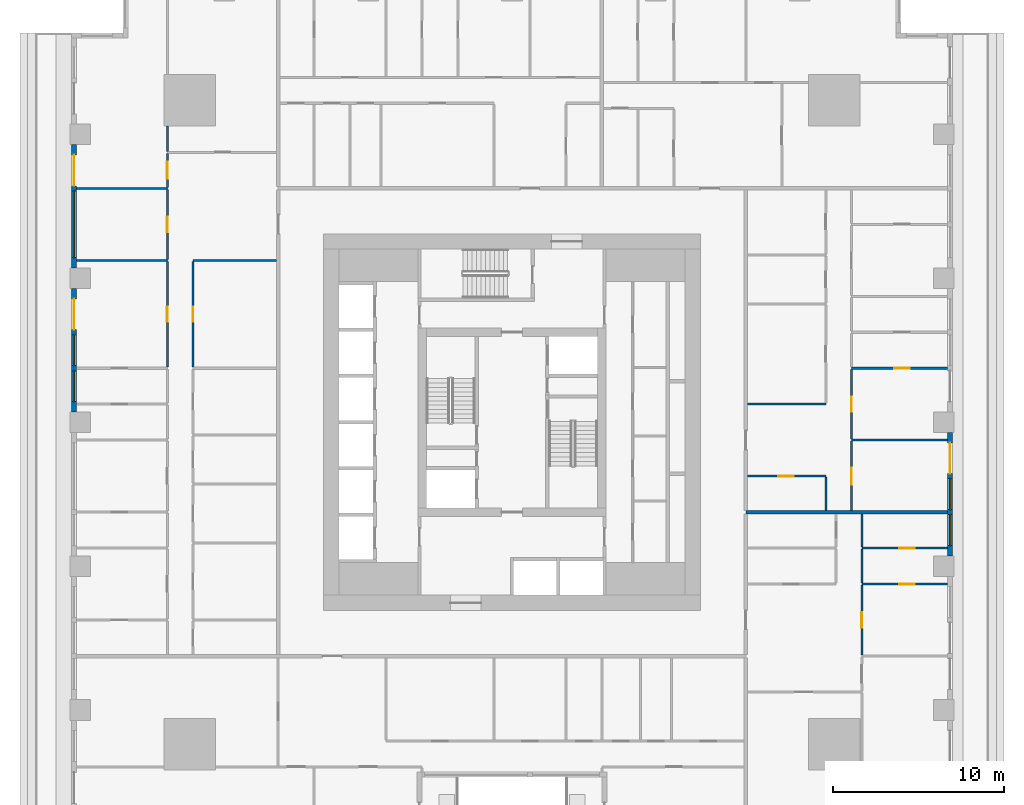
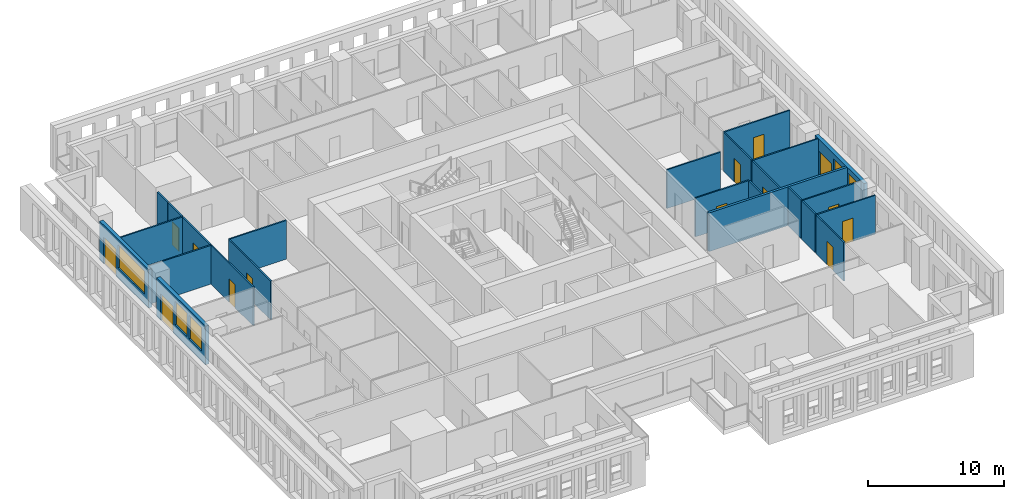
# One storey, part 6 of 15: 24 walls, 14 doors, 5 windows, 19 openings.
"""IFC4 building model written with IfcOpenShell, lengths in metres."""

from ifc_helpers import new_model, si_unit, direction, frame, frame_2d, origin, place, context, subcontext, project, spatial, rectangle, extrude, material, layer, layer_set, type_object, element, fill, save


model = new_model("IFC4")

# Units and contexts
model_context = context("Model", 3, precision=1e-05, world=origin(), true_north=direction((0.0, 1.0)))
body_context = subcontext(model_context, "Body", "Model", "MODEL_VIEW")
ifc_project = project(units=[si_unit("LENGTHUNIT", "METRE"), si_unit("AREAUNIT", "SQUARE_METRE"), si_unit("VOLUMEUNIT", "CUBIC_METRE"), si_unit("PLANEANGLEUNIT", "RADIAN"), si_unit("MASSUNIT", "GRAM", prefix="KILO")], contexts=[model_context])

# Site, building, storey
site_placement = place(None, origin())
site = spatial("IfcSite", under=ifc_project, at=site_placement, CompositionType="ELEMENT")
building_placement = place(site_placement, origin())
building = spatial("IfcBuilding", under=site, at=building_placement, Name="Khepri Terraces", CompositionType="ELEMENT")
storey_placement = place(building_placement, frame((0.0, 0.0, 34.800048828125)))
storey = spatial("IfcBuildingStorey", under=building, at=storey_placement, Name="L07", CompositionType="ELEMENT", Elevation=34.800048828125)

# Wall
ifc_material_1 = material(Name="Fire-rated gypsum plasterboard partition, mineral wool")
ifc_layer_1 = layer(ifc_material_1, 0.199951171875, Name="Fire-rated gypsum plasterboard partition, mineral wool")
ifc_layer_set_1 = layer_set([ifc_layer_1], Name="Fire-rated gypsum plasterboard partition, mineral wool")
wall_type_1 = type_object("IfcWallType", Name="WL-CORR-200", PredefinedType="PARTITIONING", material=ifc_layer_set_1)
wall_1_placement = place(storey_placement, frame((13.64990234375, -5.25, 0.0), z_axis=(0.0, 0.0, 1.0), x_axis=(1.0, 0.0, 0.0)))
element("IfcWall", 1, at=wall_1_placement, inside=storey, type_object=wall_type_1, Name="Partition P-043 L07", PredefinedType="PARTITIONING", context=body_context, shape_type="SweptSolid", body=[
    extrude(rectangle(XDim=11.77001953125, YDim=0.199951171875, at=frame_2d((5.885009765625, 0.0))), origin(), (0.0, 0.0, 1.0), 3.47998046875),
])

# Wall, openings, door, windows
ifc_material_2 = material(Name="Precast concrete C50/60 warm stone", Category="masonry")
ifc_layer_2 = layer(ifc_material_2, 0.300048828125, Name="Precast concrete C50/60 warm stone", Category="masonry")
ifc_layer_set_2 = layer_set([ifc_layer_2], Name="Precast concrete C50/60 warm stone")
wall_type_2 = type_object("IfcWallType", Name="WL-EXT-PRECAST-300", PredefinedType="STANDARD", material=ifc_layer_set_2)
wall_2_placement = place(storey_placement, frame((25.570068359375, -7.800048828125, 0.0), z_axis=(0.0, 0.0, 1.0), x_axis=(0.0, 1.0, 0.0)))
wall_2 = element("IfcWall", 2, at=wall_2_placement, inside=storey, type_object=wall_type_2, Name="External wall L07 E", PredefinedType="STANDARD", context=body_context, shape_type="SweptSolid", body=[
    extrude(rectangle(XDim=7.199951171875, YDim=0.300048828125, at=frame_2d((3.60009765625, 0.0))), origin(), (0.0, 0.0, 1.0), 3.47998046875),
])
opening_1_placement = place(wall_2_placement, frame((0.60009765625, 0.0, 0.89990234375)))
opening_1 = element("IfcOpeningElement", 3, at=opening_1_placement, cuts=wall_2, Name="Opening W1", PredefinedType="OPENING", context=body_context, shape_type="SweptSolid", body=[
    extrude(rectangle(XDim=1.800048828125, YDim=2.10009765625, at=frame_2d((0.89990234375, 1.050048828125))), frame((0.0, 0.16015625, 0.0), z_axis=(0.0, -1.0, 0.0), x_axis=(1.0, 0.0, 0.0)), (0.0, 0.0, 1.0), 0.320068359375),
])
opening_2_placement = place(wall_2_placement, frame((2.699951171875, 0.0, 0.89990234375)))
opening_2 = element("IfcOpeningElement", 4, at=opening_2_placement, cuts=wall_2, Name="Opening W1", PredefinedType="OPENING", context=body_context, shape_type="SweptSolid", body=[
    extrude(rectangle(XDim=1.800048828125, YDim=2.10009765625, at=frame_2d((0.89990234375, 1.050048828125))), frame((0.0, 0.16015625, 0.0), z_axis=(0.0, -1.0, 0.0), x_axis=(1.0, 0.0, 0.0)), (0.0, 0.0, 1.0), 0.320068359375),
])
opening_3_placement = place(wall_2_placement, frame((4.800048828125, 0.0, 0.0)))
opening_3 = element("IfcOpeningElement", 5, at=opening_3_placement, cuts=wall_2, Name="Opening ED-L07-04", PredefinedType="OPENING", context=body_context, shape_type="SweptSolid", body=[
    extrude(rectangle(XDim=1.800048828125, YDim=2.39990234375, at=frame_2d((0.89990234375, 1.199951171875))), frame((0.0, 0.16015625, 0.0), z_axis=(0.0, -1.0, 0.0), x_axis=(1.0, 0.0, 0.0)), (0.0, 0.0, 1.0), 0.320068359375),
])
ifc_material_3 = material(Name="Anodised aluminium bronze glazed door", Category="aluminium")
door_type_1 = type_object("IfcDoorType", Name="DR-BAL-SLIDE-1800x2400", OperationType="NOTDEFINED", PredefinedType="DOOR", material=ifc_material_3)
door_1_placement = place(opening_3_placement, origin())
door_1 = element("IfcDoor", 6, at=door_1_placement, inside=storey, type_object=door_type_1, Name="Balcony door L07 E", OperationType="SLIDING_TO_RIGHT", OverallHeight=2.39990234375, OverallWidth=1.800048828125, PredefinedType="DOOR", context=body_context, shape_type="SweptSolid", body=[
    extrude(rectangle(XDim=1.800048828125, YDim=2.39990234375, at=frame_2d((0.89990234375, 1.199951171875))), frame((0.0, 0.02490234375, 0.0), z_axis=(0.0, -1.0, 0.0), x_axis=(1.0, 0.0, 0.0)), (0.0, 0.0, 1.0), 0.050048828125),
])
fill(opening_3, door_1)
ifc_material_4 = material(Name="Clear glass", Category="glass")
window_type_1 = type_object("IfcWindowType", Name="WIN-RES-1800x2100", PartitioningType="SINGLE_PANEL", PredefinedType="WINDOW", material=ifc_material_4)
window_1_placement = place(opening_1_placement, origin())
window_1 = element("IfcWindow", 7, at=window_1_placement, inside=storey, type_object=window_type_1, Name="Window L07 E", OverallHeight=2.10009765625, OverallWidth=1.800048828125, PartitioningType="SINGLE_PANEL", PredefinedType="WINDOW", context=body_context, shape_type="SweptSolid", body=[
    extrude(rectangle(XDim=1.800048828125, YDim=2.10009765625, at=frame_2d((0.89990234375, 1.050048828125))), frame((0.0, 0.030029296875, 0.0), z_axis=(0.0, -1.0, 0.0), x_axis=(1.0, 0.0, 0.0)), (0.0, 0.0, 1.0), 0.06005859375),
])
fill(opening_1, window_1)
window_2_placement = place(opening_2_placement, origin())
window_2 = element("IfcWindow", 8, at=window_2_placement, inside=storey, type_object=window_type_1, Name="Window L07 E", OverallHeight=2.10009765625, OverallWidth=1.800048828125, PartitioningType="SINGLE_PANEL", PredefinedType="WINDOW", context=body_context, shape_type="SweptSolid", body=[
    extrude(rectangle(XDim=1.800048828125, YDim=2.10009765625, at=frame_2d((0.89990234375, 1.050048828125))), frame((0.0, 0.030029296875, 0.0), z_axis=(0.0, -1.0, 0.0), x_axis=(1.0, 0.0, 0.0)), (0.0, 0.0, 1.0), 0.06005859375),
])
fill(opening_2, window_2)

# Wall, openings, door, window
wall_3_placement = place(storey_placement, frame((-25.570068359375, 16.199951171875, 0.0), z_axis=(0.0, 0.0, 1.0), x_axis=(0.0, -1.0, 0.0)))
wall_3 = element("IfcWall", 9, at=wall_3_placement, inside=storey, type_object=wall_type_2, Name="External wall L07 W", PredefinedType="STANDARD", context=body_context, shape_type="SweptSolid", body=[
    extrude(rectangle(XDim=7.199951171875, YDim=0.300048828125, at=frame_2d((3.60009765625, 0.0))), origin(), (0.0, 0.0, 1.0), 3.47998046875),
])
opening_4_placement = place(wall_3_placement, frame((0.60009765625, 0.0, 0.0)))
opening_4 = element("IfcOpeningElement", 10, at=opening_4_placement, cuts=wall_3, Name="Opening ED-L07-14", PredefinedType="OPENING", context=body_context, shape_type="SweptSolid", body=[
    extrude(rectangle(XDim=1.800048828125, YDim=2.39990234375, at=frame_2d((0.89990234375, 1.199951171875))), frame((0.0, 0.16015625, 0.0), z_axis=(0.0, -1.0, 0.0), x_axis=(1.0, 0.0, 0.0)), (0.0, 0.0, 1.0), 0.320068359375),
])
opening_5_placement = place(wall_3_placement, frame((2.699951171875, 0.0, 0.89990234375)))
opening_5 = element("IfcOpeningElement", 11, at=opening_5_placement, cuts=wall_3, Name="Opening W2", PredefinedType="OPENING", context=body_context, shape_type="SweptSolid", body=[
    extrude(rectangle(XDim=3.89990234375, YDim=2.10009765625, at=frame_2d((1.949951171875, 1.050048828125))), frame((0.0, 0.16015625, 0.0), z_axis=(0.0, -1.0, 0.0), x_axis=(1.0, 0.0, 0.0)), (0.0, 0.0, 1.0), 0.320068359375),
])
door_2_placement = place(opening_4_placement, origin())
door_2 = element("IfcDoor", 12, at=door_2_placement, inside=storey, type_object=door_type_1, Name="Balcony door L07 W", OperationType="SLIDING_TO_LEFT", OverallHeight=2.39990234375, OverallWidth=1.800048828125, PredefinedType="DOOR", context=body_context, shape_type="SweptSolid", body=[
    extrude(rectangle(XDim=1.800048828125, YDim=2.39990234375, at=frame_2d((0.89990234375, 1.199951171875))), frame((0.0, 0.02490234375, 0.0), z_axis=(0.0, -1.0, 0.0), x_axis=(1.0, 0.0, 0.0)), (0.0, 0.0, 1.0), 0.050048828125),
])
fill(opening_4, door_2)
window_type_2 = type_object("IfcWindowType", Name="WIN-RES-3900x2100", PartitioningType="SINGLE_PANEL", PredefinedType="WINDOW", material=ifc_material_4)
window_3_placement = place(opening_5_placement, origin())
window_3 = element("IfcWindow", 13, at=window_3_placement, inside=storey, type_object=window_type_2, Name="Window L07 W", OverallHeight=2.10009765625, OverallWidth=3.89990234375, PartitioningType="SINGLE_PANEL", PredefinedType="WINDOW", context=body_context, shape_type="SweptSolid", body=[
    extrude(rectangle(XDim=3.89990234375, YDim=2.10009765625, at=frame_2d((1.949951171875, 1.050048828125))), frame((0.0, 0.030029296875, 0.0), z_axis=(0.0, -1.0, 0.0), x_axis=(1.0, 0.0, 0.0)), (0.0, 0.0, 1.0), 0.06005859375),
])
fill(opening_5, window_3)

# Wall, openings, door, windows
wall_4_placement = place(storey_placement, frame((-25.570068359375, 7.800048828125, 0.0), z_axis=(0.0, 0.0, 1.0), x_axis=(0.0, -1.0, 0.0)))
wall_4 = element("IfcWall", 14, at=wall_4_placement, inside=storey, type_object=wall_type_2, Name="External wall L07 W", PredefinedType="STANDARD", context=body_context, shape_type="SweptSolid", body=[
    extrude(rectangle(XDim=7.199951171875, YDim=0.300048828125, at=frame_2d((3.60009765625, 0.0))), origin(), (0.0, 0.0, 1.0), 3.47998046875),
])
opening_6_placement = place(wall_4_placement, frame((0.60009765625, 0.0, 0.0)))
opening_6 = element("IfcOpeningElement", 15, at=opening_6_placement, cuts=wall_4, Name="Opening ED-L07-15", PredefinedType="OPENING", context=body_context, shape_type="SweptSolid", body=[
    extrude(rectangle(XDim=1.800048828125, YDim=2.39990234375, at=frame_2d((0.89990234375, 1.199951171875))), frame((0.0, 0.16015625, 0.0), z_axis=(0.0, -1.0, 0.0), x_axis=(1.0, 0.0, 0.0)), (0.0, 0.0, 1.0), 0.320068359375),
])
opening_7_placement = place(wall_4_placement, frame((2.699951171875, 0.0, 0.89990234375)))
opening_7 = element("IfcOpeningElement", 16, at=opening_7_placement, cuts=wall_4, Name="Opening W1", PredefinedType="OPENING", context=body_context, shape_type="SweptSolid", body=[
    extrude(rectangle(XDim=1.800048828125, YDim=2.10009765625, at=frame_2d((0.89990234375, 1.050048828125))), frame((0.0, 0.16015625, 0.0), z_axis=(0.0, -1.0, 0.0), x_axis=(1.0, 0.0, 0.0)), (0.0, 0.0, 1.0), 0.320068359375),
])
opening_8_placement = place(wall_4_placement, frame((4.800048828125, 0.0, 0.89990234375)))
opening_8 = element("IfcOpeningElement", 17, at=opening_8_placement, cuts=wall_4, Name="Opening W1", PredefinedType="OPENING", context=body_context, shape_type="SweptSolid", body=[
    extrude(rectangle(XDim=1.800048828125, YDim=2.10009765625, at=frame_2d((0.89990234375, 1.050048828125))), frame((0.0, 0.16015625, 0.0), z_axis=(0.0, -1.0, 0.0), x_axis=(1.0, 0.0, 0.0)), (0.0, 0.0, 1.0), 0.320068359375),
])
door_3_placement = place(opening_6_placement, origin())
door_3 = element("IfcDoor", 18, at=door_3_placement, inside=storey, type_object=door_type_1, Name="Balcony door L07 W", OperationType="SLIDING_TO_LEFT", OverallHeight=2.39990234375, OverallWidth=1.800048828125, PredefinedType="DOOR", context=body_context, shape_type="SweptSolid", body=[
    extrude(rectangle(XDim=1.800048828125, YDim=2.39990234375, at=frame_2d((0.89990234375, 1.199951171875))), frame((0.0, 0.02490234375, 0.0), z_axis=(0.0, -1.0, 0.0), x_axis=(1.0, 0.0, 0.0)), (0.0, 0.0, 1.0), 0.050048828125),
])
fill(opening_6, door_3)
window_4_placement = place(opening_7_placement, origin())
window_4 = element("IfcWindow", 19, at=window_4_placement, inside=storey, type_object=window_type_1, Name="Window L07 W", OverallHeight=2.10009765625, OverallWidth=1.800048828125, PartitioningType="SINGLE_PANEL", PredefinedType="WINDOW", context=body_context, shape_type="SweptSolid", body=[
    extrude(rectangle(XDim=1.800048828125, YDim=2.10009765625, at=frame_2d((0.89990234375, 1.050048828125))), frame((0.0, 0.030029296875, 0.0), z_axis=(0.0, -1.0, 0.0), x_axis=(1.0, 0.0, 0.0)), (0.0, 0.0, 1.0), 0.06005859375),
])
fill(opening_7, window_4)
window_5_placement = place(opening_8_placement, origin())
window_5 = element("IfcWindow", 20, at=window_5_placement, inside=storey, type_object=window_type_1, Name="Window L07 W", OverallHeight=2.10009765625, OverallWidth=1.800048828125, PartitioningType="SINGLE_PANEL", PredefinedType="WINDOW", context=body_context, shape_type="SweptSolid", body=[
    extrude(rectangle(XDim=1.800048828125, YDim=2.10009765625, at=frame_2d((0.89990234375, 1.050048828125))), frame((0.0, 0.030029296875, 0.0), z_axis=(0.0, -1.0, 0.0), x_axis=(1.0, 0.0, 0.0)), (0.0, 0.0, 1.0), 0.06005859375),
])
fill(opening_8, window_5)

# Wall, opening, door
ifc_material_5 = material(Name="Gypsum plasterboard partition")
ifc_layer_3 = layer(ifc_material_5, 0.1201171875, Name="Gypsum plasterboard partition")
ifc_layer_set_3 = layer_set([ifc_layer_3], Name="Gypsum plasterboard partition")
wall_type_3 = type_object("IfcWallType", Name="WL-PART-120", PredefinedType="PARTITIONING", material=ifc_layer_set_3)
wall_5_placement = place(storey_placement, frame((20.419921875, -13.590087890625, 0.0), z_axis=(0.0, 0.0, 1.0), x_axis=(0.0, 1.0, 0.0)))
wall_5 = element("IfcWall", 21, at=wall_5_placement, inside=storey, type_object=wall_type_3, Name="Partition P-021 L07", PredefinedType="PARTITIONING", context=body_context, shape_type="SweptSolid", body=[
    extrude(rectangle(XDim=4.080078125, YDim=0.1201171875, at=frame_2d((2.0400390625, 0.0))), origin(), (0.0, 0.0, 1.0), 3.47998046875),
])
opening_9_placement = place(wall_5_placement, frame((1.590087890625, 0.0, 0.0)))
opening_9 = element("IfcOpeningElement", 22, at=opening_9_placement, cuts=wall_5, Name="Opening D3", PredefinedType="OPENING", context=body_context, shape_type="SweptSolid", body=[
    extrude(rectangle(XDim=0.89990234375, YDim=2.10009765625, at=frame_2d((0.449951171875, 1.050048828125))), frame((0.0, 0.070068359375, 0.0), z_axis=(0.0, -1.0, 0.0), x_axis=(1.0, 0.0, 0.0)), (0.0, 0.0, 1.0), 0.14013671875),
])
ifc_material_6 = material(Name="Timber door leaf", Category="wood")
door_type_2 = type_object("IfcDoorType", Name="DR-INT-900", OperationType="NOTDEFINED", PredefinedType="DOOR", material=ifc_material_6)
door_4_placement = place(opening_9_placement, frame((0.89990234375, 0.0, 0.0), z_axis=(0.0, 0.0, 1.0), x_axis=(-1.0, 0.0, 0.0)))
door_4 = element("IfcDoor", 23, at=door_4_placement, inside=storey, type_object=door_type_2, Name="Door Master Bedroom", OperationType="SINGLE_SWING_RIGHT", OverallHeight=2.10009765625, OverallWidth=0.89990234375, PredefinedType="DOOR", context=body_context, shape_type="SweptSolid", body=[
    extrude(rectangle(XDim=0.89990234375, YDim=2.10009765625, at=frame_2d((0.449951171875, 1.050048828125))), frame((0.0, 0.02490234375, 0.0), z_axis=(0.0, -1.0, 0.0), x_axis=(1.0, 0.0, 0.0)), (0.0, 0.0, 1.0), 0.050048828125),
])
fill(opening_9, door_4)

wall_6_placement = place(storey_placement, frame((20.419921875, -9.449951171875, 0.0), z_axis=(0.0, 0.0, 1.0), x_axis=(1.0, 0.0, 0.0)))
wall_6 = element("IfcWall", 24, at=wall_6_placement, inside=storey, type_object=wall_type_3, Name="Partition P-031 L07", PredefinedType="PARTITIONING", context=body_context, shape_type="SweptSolid", body=[
    extrude(rectangle(XDim=5.0, YDim=0.1201171875, at=frame_2d((2.5, 0.0))), origin(), (0.0, 0.0, 1.0), 3.47998046875),
])
opening_10_placement = place(wall_6_placement, frame((2.199951171875, 0.0, 0.0)))
opening_10 = element("IfcOpeningElement", 25, at=opening_10_placement, cuts=wall_6, Name="Opening D3", PredefinedType="OPENING", context=body_context, shape_type="SweptSolid", body=[
    extrude(rectangle(XDim=0.89990234375, YDim=2.10009765625, at=frame_2d((0.449951171875, 1.050048828125))), frame((0.0, 0.070068359375, 0.0), z_axis=(0.0, -1.0, 0.0), x_axis=(1.0, 0.0, 0.0)), (0.0, 0.0, 1.0), 0.14013671875),
])
door_5_placement = place(opening_10_placement, origin())
door_5 = element("IfcDoor", 26, at=door_5_placement, inside=storey, type_object=door_type_2, Name="Door Dressing Room", OperationType="SINGLE_SWING_RIGHT", OverallHeight=2.10009765625, OverallWidth=0.89990234375, PredefinedType="DOOR", context=body_context, shape_type="SweptSolid", body=[
    extrude(rectangle(XDim=0.89990234375, YDim=2.10009765625, at=frame_2d((0.449951171875, 1.050048828125))), frame((0.0, 0.02490234375, 0.0), z_axis=(0.0, -1.0, 0.0), x_axis=(1.0, 0.0, 0.0)), (0.0, 0.0, 1.0), 0.050048828125),
])
fill(opening_10, door_5)

# Wall
wall_7_placement = place(storey_placement, frame((20.419921875, -9.389892578125, 0.0), z_axis=(0.0, 0.0, 1.0), x_axis=(0.0, 1.0, 0.0)))
element("IfcWall", 27, at=wall_7_placement, inside=storey, type_object=wall_type_3, Name="Partition P-033 L07", PredefinedType="PARTITIONING", context=body_context, shape_type="SweptSolid", body=[
    extrude(rectangle(XDim=1.97998046875, YDim=0.1201171875, at=frame_2d((0.989990234375, 0.0))), origin(), (0.0, 0.0, 1.0), 3.47998046875),
])

# Wall, opening, door
wall_8_placement = place(storey_placement, frame((20.419921875, -7.35009765625, 0.0), z_axis=(0.0, 0.0, 1.0), x_axis=(1.0, 0.0, 0.0)))
wall_8 = element("IfcWall", 28, at=wall_8_placement, inside=storey, type_object=wall_type_3, Name="Partition P-036 L07", PredefinedType="PARTITIONING", context=body_context, shape_type="SweptSolid", body=[
    extrude(rectangle(XDim=5.0, YDim=0.1201171875, at=frame_2d((2.5, 0.0))), origin(), (0.0, 0.0, 1.0), 3.47998046875),
])
opening_11_placement = place(wall_8_placement, frame((2.199951171875, 0.0, 0.0)))
opening_11 = element("IfcOpeningElement", 29, at=opening_11_placement, cuts=wall_8, Name="Opening D4", PredefinedType="OPENING", context=body_context, shape_type="SweptSolid", body=[
    extrude(rectangle(XDim=0.89990234375, YDim=2.10009765625, at=frame_2d((0.449951171875, 1.050048828125))), frame((0.0, 0.070068359375, 0.0), z_axis=(0.0, -1.0, 0.0), x_axis=(1.0, 0.0, 0.0)), (0.0, 0.0, 1.0), 0.14013671875),
])
ifc_material_7 = material(Name="Timber door leaf, moisture resistant", Category="wood")
door_type_3 = type_object("IfcDoorType", Name="DR-WET-900", OperationType="NOTDEFINED", PredefinedType="DOOR", material=ifc_material_7)
door_6_placement = place(opening_11_placement, origin())
door_6 = element("IfcDoor", 30, at=door_6_placement, inside=storey, type_object=door_type_3, Name="Door Bathroom", OperationType="SINGLE_SWING_RIGHT", OverallHeight=2.10009765625, OverallWidth=0.89990234375, PredefinedType="DOOR", context=body_context, shape_type="SweptSolid", body=[
    extrude(rectangle(XDim=0.89990234375, YDim=2.10009765625, at=frame_2d((0.449951171875, 1.050048828125))), frame((0.0, 0.02490234375, 0.0), z_axis=(0.0, -1.0, 0.0), x_axis=(1.0, 0.0, 0.0)), (0.0, 0.0, 1.0), 0.050048828125),
])
fill(opening_11, door_6)

# Walls
for number, where, z_axis, x_axis, name in (
    (31, (20.419921875, -7.2900390625, 0.0), (0.0, 0.0, 1.0), (0.0, 1.0, 0.0), "Partition P-039 L07"),
    (32, (18.320068359375, -5.14990234375, 0.0), (0.0, 0.0, 1.0), (0.0, 1.0, 0.0), "Partition P-046 L07"),
):
    element("IfcWall", number, at=place(storey_placement, frame(where, z_axis=z_axis, x_axis=x_axis)), inside=storey, type_object=wall_type_3, Name=name, PredefinedType="PARTITIONING", context=body_context, shape_type="SweptSolid", body=[
        extrude(rectangle(XDim=1.93994140625, YDim=0.1201171875, at=frame_2d((0.969970703125, 0.0))), origin(), (0.0, 0.0, 1.0), 3.47998046875),
    ])

# Wall, opening, door
wall_9_placement = place(storey_placement, frame((19.820068359375, -5.14990234375, 0.0), z_axis=(0.0, 0.0, 1.0), x_axis=(0.0, 1.0, 0.0)))
wall_9 = element("IfcWall", 33, at=wall_9_placement, inside=storey, type_object=wall_type_3, Name="Partition P-047 L07", PredefinedType="PARTITIONING", context=body_context, shape_type="SweptSolid", body=[
    extrude(rectangle(XDim=4.039794921875, YDim=0.1201171875, at=frame_2d((2.02001953125, 0.0))), origin(), (0.0, 0.0, 1.0), 3.47998046875),
])
opening_12_placement = place(wall_9_placement, frame((1.5, 0.0, 0.0)))
opening_12 = element("IfcOpeningElement", 34, at=opening_12_placement, cuts=wall_9, Name="Opening D2", PredefinedType="OPENING", context=body_context, shape_type="SweptSolid", body=[
    extrude(rectangle(XDim=1.0, YDim=2.10009765625, at=frame_2d((0.5, 1.050048828125))), frame((0.0, 0.070068359375, 0.0), z_axis=(0.0, -1.0, 0.0), x_axis=(1.0, 0.0, 0.0)), (0.0, 0.0, 1.0), 0.14013671875),
])
ifc_material_8 = material(Name="Timber door leaf, living room door", Category="wood")
door_type_4 = type_object("IfcDoorType", Name="DR-INT-1000", OperationType="NOTDEFINED", PredefinedType="DOOR", material=ifc_material_8)
door_7_placement = place(opening_12_placement, frame((1.0, 0.0, 0.0), z_axis=(0.0, 0.0, 1.0), x_axis=(-1.0, 0.0, 0.0)))
door_7 = element("IfcDoor", 35, at=door_7_placement, inside=storey, type_object=door_type_4, Name="Door Living Room", OperationType="SINGLE_SWING_RIGHT", OverallHeight=2.10009765625, OverallWidth=1.0, PredefinedType="DOOR", context=body_context, shape_type="SweptSolid", body=[
    extrude(rectangle(XDim=1.0, YDim=2.10009765625, at=frame_2d((0.5, 1.050048828125))), frame((0.0, 0.02490234375, 0.0), z_axis=(0.0, -1.0, 0.0), x_axis=(1.0, 0.0, 0.0)), (0.0, 0.0, 1.0), 0.050048828125),
])
fill(opening_12, door_7)

wall_10_placement = place(storey_placement, frame((13.75, -3.14990234375, 0.0), z_axis=(0.0, 0.0, 1.0), x_axis=(1.0, 0.0, 0.0)))
wall_10 = element("IfcWall", 36, at=wall_10_placement, inside=storey, type_object=wall_type_3, Name="Partition P-050 L07", PredefinedType="PARTITIONING", context=body_context, shape_type="SweptSolid", body=[
    extrude(rectangle(XDim=4.570068359375, YDim=0.1201171875, at=frame_2d((2.28515625, 0.0))), origin(), (0.0, 0.0, 1.0), 3.47998046875),
])
opening_13_placement = place(wall_10_placement, frame((1.784912109375, 0.0, 0.0)))
opening_13 = element("IfcOpeningElement", 37, at=opening_13_placement, cuts=wall_10, Name="Opening D3", PredefinedType="OPENING", context=body_context, shape_type="SweptSolid", body=[
    extrude(rectangle(XDim=0.89990234375, YDim=2.10009765625, at=frame_2d((0.449951171875, 1.050048828125))), frame((0.0, 0.070068359375, 0.0), z_axis=(0.0, -1.0, 0.0), x_axis=(1.0, 0.0, 0.0)), (0.0, 0.0, 1.0), 0.14013671875),
])
door_8_placement = place(opening_13_placement, frame((0.89990234375, 0.0, 0.0), z_axis=(0.0, 0.0, 1.0), x_axis=(-1.0, 0.0, 0.0)))
door_8 = element("IfcDoor", 38, at=door_8_placement, inside=storey, type_object=door_type_2, Name="Door Utility Room", OperationType="SINGLE_SWING_RIGHT", OverallHeight=2.10009765625, OverallWidth=0.89990234375, PredefinedType="DOOR", context=body_context, shape_type="SweptSolid", body=[
    extrude(rectangle(XDim=0.89990234375, YDim=2.10009765625, at=frame_2d((0.449951171875, 1.050048828125))), frame((0.0, 0.02490234375, 0.0), z_axis=(0.0, -1.0, 0.0), x_axis=(1.0, 0.0, 0.0)), (0.0, 0.0, 1.0), 0.050048828125),
])
fill(opening_13, door_8)

# Wall
wall_11_placement = place(storey_placement, frame((19.820068359375, -1.050048828125, 0.0), z_axis=(0.0, 0.0, 1.0), x_axis=(1.0, 0.0, 0.0)))
element("IfcWall", 39, at=wall_11_placement, inside=storey, type_object=wall_type_3, Name="Partition P-052 L07", PredefinedType="PARTITIONING", context=body_context, shape_type="SweptSolid", body=[
    extrude(rectangle(XDim=5.599853515625, YDim=0.1201171875, at=frame_2d((2.7998046875, 0.0))), origin(), (0.0, 0.0, 1.0), 3.47998046875),
])

# Wall, opening, door
wall_12_placement = place(storey_placement, frame((19.820068359375, -0.989990234375, 0.0), z_axis=(0.0, 0.0, 1.0), x_axis=(0.0, 1.0, 0.0)))
wall_12 = element("IfcWall", 40, at=wall_12_placement, inside=storey, type_object=wall_type_3, Name="Partition P-054 L07", PredefinedType="PARTITIONING", context=body_context, shape_type="SweptSolid", body=[
    extrude(rectangle(XDim=4.080078125, YDim=0.1201171875, at=frame_2d((2.0400390625, 0.0))), origin(), (0.0, 0.0, 1.0), 3.47998046875),
])
opening_14_placement = place(wall_12_placement, frame((1.590087890625, 0.0, 0.0)))
opening_14 = element("IfcOpeningElement", 41, at=opening_14_placement, cuts=wall_12, Name="Opening D3", PredefinedType="OPENING", context=body_context, shape_type="SweptSolid", body=[
    extrude(rectangle(XDim=0.89990234375, YDim=2.10009765625, at=frame_2d((0.449951171875, 1.050048828125))), frame((0.0, 0.070068359375, 0.0), z_axis=(0.0, -1.0, 0.0), x_axis=(1.0, 0.0, 0.0)), (0.0, 0.0, 1.0), 0.14013671875),
])
door_9_placement = place(opening_14_placement, frame((0.89990234375, 0.0, 0.0), z_axis=(0.0, 0.0, 1.0), x_axis=(-1.0, 0.0, 0.0)))
door_9 = element("IfcDoor", 42, at=door_9_placement, inside=storey, type_object=door_type_2, Name="Door Master Bedroom", OperationType="SINGLE_SWING_LEFT", OverallHeight=2.10009765625, OverallWidth=0.89990234375, PredefinedType="DOOR", context=body_context, shape_type="SweptSolid", body=[
    extrude(rectangle(XDim=0.89990234375, YDim=2.10009765625, at=frame_2d((0.449951171875, 1.050048828125))), frame((0.0, 0.02490234375, 0.0), z_axis=(0.0, -1.0, 0.0), x_axis=(1.0, 0.0, 0.0)), (0.0, 0.0, 1.0), 0.050048828125),
])
fill(opening_14, door_9)

# Wall
wall_13_placement = place(storey_placement, frame((13.75, 1.050048828125, 0.0), z_axis=(0.0, 0.0, 1.0), x_axis=(1.0, 0.0, 0.0)))
element("IfcWall", 43, at=wall_13_placement, inside=storey, type_object=wall_type_3, Name="Partition P-058 L07", PredefinedType="PARTITIONING", context=body_context, shape_type="SweptSolid", body=[
    extrude(rectangle(XDim=4.570068359375, YDim=0.1201171875, at=frame_2d((2.28515625, 0.0))), origin(), (0.0, 0.0, 1.0), 3.47998046875),
])

# Wall, opening, door
wall_14_placement = place(storey_placement, frame((19.820068359375, 3.14990234375, 0.0), z_axis=(0.0, 0.0, 1.0), x_axis=(1.0, 0.0, 0.0)))
wall_14 = element("IfcWall", 44, at=wall_14_placement, inside=storey, type_object=wall_type_3, Name="Partition P-063 L07", PredefinedType="PARTITIONING", context=body_context, shape_type="SweptSolid", body=[
    extrude(rectangle(XDim=5.599853515625, YDim=0.1201171875, at=frame_2d((2.7998046875, 0.0))), origin(), (0.0, 0.0, 1.0), 3.47998046875),
])
opening_15_placement = place(wall_14_placement, frame((2.5, 0.0, 0.0)))
opening_15 = element("IfcOpeningElement", 45, at=opening_15_placement, cuts=wall_14, Name="Opening D3", PredefinedType="OPENING", context=body_context, shape_type="SweptSolid", body=[
    extrude(rectangle(XDim=0.89990234375, YDim=2.10009765625, at=frame_2d((0.449951171875, 1.050048828125))), frame((0.0, 0.070068359375, 0.0), z_axis=(0.0, -1.0, 0.0), x_axis=(1.0, 0.0, 0.0)), (0.0, 0.0, 1.0), 0.14013671875),
])
door_10_placement = place(opening_15_placement, origin())
door_10 = element("IfcDoor", 46, at=door_10_placement, inside=storey, type_object=door_type_2, Name="Door Dressing Room", OperationType="SINGLE_SWING_RIGHT", OverallHeight=2.10009765625, OverallWidth=0.89990234375, PredefinedType="DOOR", context=body_context, shape_type="SweptSolid", body=[
    extrude(rectangle(XDim=0.89990234375, YDim=2.10009765625, at=frame_2d((0.449951171875, 1.050048828125))), frame((0.0, 0.02490234375, 0.0), z_axis=(0.0, -1.0, 0.0), x_axis=(1.0, 0.0, 0.0)), (0.0, 0.0, 1.0), 0.050048828125),
])
fill(opening_15, door_10)

wall_15_placement = place(storey_placement, frame((-20.1201171875, 3.2099609375, 0.0), z_axis=(0.0, 0.0, 1.0), x_axis=(0.0, 1.0, 0.0)))
wall_15 = element("IfcWall", 47, at=wall_15_placement, inside=storey, type_object=wall_type_3, Name="Partition P-064 L07", PredefinedType="PARTITIONING", context=body_context, shape_type="SweptSolid", body=[
    extrude(rectangle(XDim=6.179931640625, YDim=0.1201171875, at=frame_2d((3.08984375, 0.0))), origin(), (0.0, 0.0, 1.0), 3.47998046875),
])
opening_16_placement = place(wall_15_placement, frame((2.639892578125, 0.0, 0.0)))
opening_16 = element("IfcOpeningElement", 48, at=opening_16_placement, cuts=wall_15, Name="Opening D3", PredefinedType="OPENING", context=body_context, shape_type="SweptSolid", body=[
    extrude(rectangle(XDim=0.89990234375, YDim=2.10009765625, at=frame_2d((0.449951171875, 1.050048828125))), frame((0.0, 0.070068359375, 0.0), z_axis=(0.0, -1.0, 0.0), x_axis=(1.0, 0.0, 0.0)), (0.0, 0.0, 1.0), 0.14013671875),
])
door_11_placement = place(opening_16_placement, origin())
door_11 = element("IfcDoor", 49, at=door_11_placement, inside=storey, type_object=door_type_2, Name="Door Master Bedroom", OperationType="SINGLE_SWING_LEFT", OverallHeight=2.10009765625, OverallWidth=0.89990234375, PredefinedType="DOOR", context=body_context, shape_type="SweptSolid", body=[
    extrude(rectangle(XDim=0.89990234375, YDim=2.10009765625, at=frame_2d((0.449951171875, 1.050048828125))), frame((0.0, 0.02490234375, 0.0), z_axis=(0.0, -1.0, 0.0), x_axis=(1.0, 0.0, 0.0)), (0.0, 0.0, 1.0), 0.050048828125),
])
fill(opening_16, door_11)

wall_16_placement = place(storey_placement, frame((-18.6201171875, 3.2099609375, 0.0), z_axis=(0.0, 0.0, 1.0), x_axis=(0.0, 1.0, 0.0)))
wall_16 = element("IfcWall", 50, at=wall_16_placement, inside=storey, type_object=wall_type_3, Name="Partition P-065 L07", PredefinedType="PARTITIONING", context=body_context, shape_type="SweptSolid", body=[
    extrude(rectangle(XDim=6.179931640625, YDim=0.1201171875, at=frame_2d((3.08984375, 0.0))), origin(), (0.0, 0.0, 1.0), 3.47998046875),
])
opening_17_placement = place(wall_16_placement, frame((2.639892578125, 0.0, 0.0)))
opening_17 = element("IfcOpeningElement", 51, at=opening_17_placement, cuts=wall_16, Name="Opening D3", PredefinedType="OPENING", context=body_context, shape_type="SweptSolid", body=[
    extrude(rectangle(XDim=0.89990234375, YDim=2.10009765625, at=frame_2d((0.449951171875, 1.050048828125))), frame((0.0, 0.070068359375, 0.0), z_axis=(0.0, -1.0, 0.0), x_axis=(1.0, 0.0, 0.0)), (0.0, 0.0, 1.0), 0.14013671875),
])
door_12_placement = place(opening_17_placement, frame((0.89990234375, 0.0, 0.0), z_axis=(0.0, 0.0, 1.0), x_axis=(-1.0, 0.0, 0.0)))
door_12 = element("IfcDoor", 52, at=door_12_placement, inside=storey, type_object=door_type_2, Name="Door Kitchen", OperationType="SINGLE_SWING_RIGHT", OverallHeight=2.10009765625, OverallWidth=0.89990234375, PredefinedType="DOOR", context=body_context, shape_type="SweptSolid", body=[
    extrude(rectangle(XDim=0.89990234375, YDim=2.10009765625, at=frame_2d((0.449951171875, 1.050048828125))), frame((0.0, 0.02490234375, 0.0), z_axis=(0.0, -1.0, 0.0), x_axis=(1.0, 0.0, 0.0)), (0.0, 0.0, 1.0), 0.050048828125),
])
fill(opening_17, door_12)

# Walls
wall_17_placement = place(storey_placement, frame((-25.419921875, 9.449951171875, 0.0), z_axis=(0.0, 0.0, 1.0), x_axis=(1.0, 0.0, 0.0)))
element("IfcWall", 53, at=wall_17_placement, inside=storey, type_object=wall_type_3, Name="Partition P-073 L07", PredefinedType="PARTITIONING", context=body_context, shape_type="SweptSolid", body=[
    extrude(rectangle(XDim=5.2998046875, YDim=0.1201171875, at=frame_2d((2.64990234375, 0.0))), origin(), (0.0, 0.0, 1.0), 3.47998046875),
])
wall_18_placement = place(storey_placement, frame((-18.6201171875, 9.449951171875, 0.0), z_axis=(0.0, 0.0, 1.0), x_axis=(1.0, 0.0, 0.0)))
element("IfcWall", 54, at=wall_18_placement, inside=storey, type_object=wall_type_3, Name="Partition P-074 L07", PredefinedType="PARTITIONING", context=body_context, shape_type="SweptSolid", body=[
    extrude(rectangle(XDim=4.8701171875, YDim=0.1201171875, at=frame_2d((2.43505859375, 0.0))), origin(), (0.0, 0.0, 1.0), 3.47998046875),
])

# Wall, opening, door
wall_19_placement = place(storey_placement, frame((-20.1201171875, 9.510009765625, 0.0), z_axis=(0.0, 0.0, 1.0), x_axis=(0.0, 1.0, 0.0)))
wall_19 = element("IfcWall", 55, at=wall_19_placement, inside=storey, type_object=wall_type_3, Name="Partition P-075 L07", PredefinedType="PARTITIONING", context=body_context, shape_type="SweptSolid", body=[
    extrude(rectangle(XDim=4.080078125, YDim=0.1201171875, at=frame_2d((2.0400390625, 0.0))), origin(), (0.0, 0.0, 1.0), 3.47998046875),
])
opening_18_placement = place(wall_19_placement, frame((1.590087890625, 0.0, 0.0)))
opening_18 = element("IfcOpeningElement", 56, at=opening_18_placement, cuts=wall_19, Name="Opening D3", PredefinedType="OPENING", context=body_context, shape_type="SweptSolid", body=[
    extrude(rectangle(XDim=0.89990234375, YDim=2.10009765625, at=frame_2d((0.449951171875, 1.050048828125))), frame((0.0, 0.070068359375, 0.0), z_axis=(0.0, -1.0, 0.0), x_axis=(1.0, 0.0, 0.0)), (0.0, 0.0, 1.0), 0.14013671875),
])
door_13_placement = place(opening_18_placement, origin())
door_13 = element("IfcDoor", 57, at=door_13_placement, inside=storey, type_object=door_type_2, Name="Door Study", OperationType="SINGLE_SWING_RIGHT", OverallHeight=2.10009765625, OverallWidth=0.89990234375, PredefinedType="DOOR", context=body_context, shape_type="SweptSolid", body=[
    extrude(rectangle(XDim=0.89990234375, YDim=2.10009765625, at=frame_2d((0.449951171875, 1.050048828125))), frame((0.0, 0.02490234375, 0.0), z_axis=(0.0, -1.0, 0.0), x_axis=(1.0, 0.0, 0.0)), (0.0, 0.0, 1.0), 0.050048828125),
])
fill(opening_18, door_13)

# Wall
wall_20_placement = place(storey_placement, frame((-25.419921875, 13.64990234375, 0.0), z_axis=(0.0, 0.0, 1.0), x_axis=(1.0, 0.0, 0.0)))
element("IfcWall", 58, at=wall_20_placement, inside=storey, type_object=wall_type_3, Name="Partition P-080 L07", PredefinedType="PARTITIONING", context=body_context, shape_type="SweptSolid", body=[
    extrude(rectangle(XDim=5.2998046875, YDim=0.1201171875, at=frame_2d((2.64990234375, 0.0))), origin(), (0.0, 0.0, 1.0), 3.47998046875),
])

# Wall, opening, door
wall_21_placement = place(storey_placement, frame((-20.1201171875, 13.7099609375, 0.0), z_axis=(0.0, 0.0, 1.0), x_axis=(0.0, 1.0, 0.0)))
wall_21 = element("IfcWall", 59, at=wall_21_placement, inside=storey, type_object=wall_type_3, Name="Partition P-082 L07", PredefinedType="PARTITIONING", context=body_context, shape_type="SweptSolid", body=[
    extrude(rectangle(XDim=1.97998046875, YDim=0.1201171875, at=frame_2d((0.989990234375, 0.0))), origin(), (0.0, 0.0, 1.0), 3.47998046875),
])
opening_19_placement = place(wall_21_placement, frame((0.489990234375, 0.0, 0.0)))
opening_19 = element("IfcOpeningElement", 60, at=opening_19_placement, cuts=wall_21, Name="Opening D2", PredefinedType="OPENING", context=body_context, shape_type="SweptSolid", body=[
    extrude(rectangle(XDim=1.0, YDim=2.10009765625, at=frame_2d((0.5, 1.050048828125))), frame((0.0, 0.070068359375, 0.0), z_axis=(0.0, -1.0, 0.0), x_axis=(1.0, 0.0, 0.0)), (0.0, 0.0, 1.0), 0.14013671875),
])
door_14_placement = place(opening_19_placement, origin())
door_14 = element("IfcDoor", 61, at=door_14_placement, inside=storey, type_object=door_type_4, Name="Door Living Room", OperationType="SINGLE_SWING_LEFT", OverallHeight=2.10009765625, OverallWidth=1.0, PredefinedType="DOOR", context=body_context, shape_type="SweptSolid", body=[
    extrude(rectangle(XDim=1.0, YDim=2.10009765625, at=frame_2d((0.5, 1.050048828125))), frame((0.0, 0.02490234375, 0.0), z_axis=(0.0, -1.0, 0.0), x_axis=(1.0, 0.0, 0.0)), (0.0, 0.0, 1.0), 0.050048828125),
])
fill(opening_19, door_14)

# Wall
wall_22_placement = place(storey_placement, frame((-20.1201171875, 15.81005859375, 0.0), z_axis=(0.0, 0.0, 1.0), x_axis=(0.0, 1.0, 0.0)))
element("IfcWall", 62, at=wall_22_placement, inside=storey, type_object=wall_type_3, Name="Partition P-094 L07", PredefinedType="PARTITIONING", context=body_context, shape_type="SweptSolid", body=[
    extrude(rectangle(XDim=1.489990234375, YDim=0.1201171875, at=frame_2d((0.7451171875, 0.0))), origin(), (0.0, 0.0, 1.0), 3.47998046875),
])

save(model, "model.ifc")
